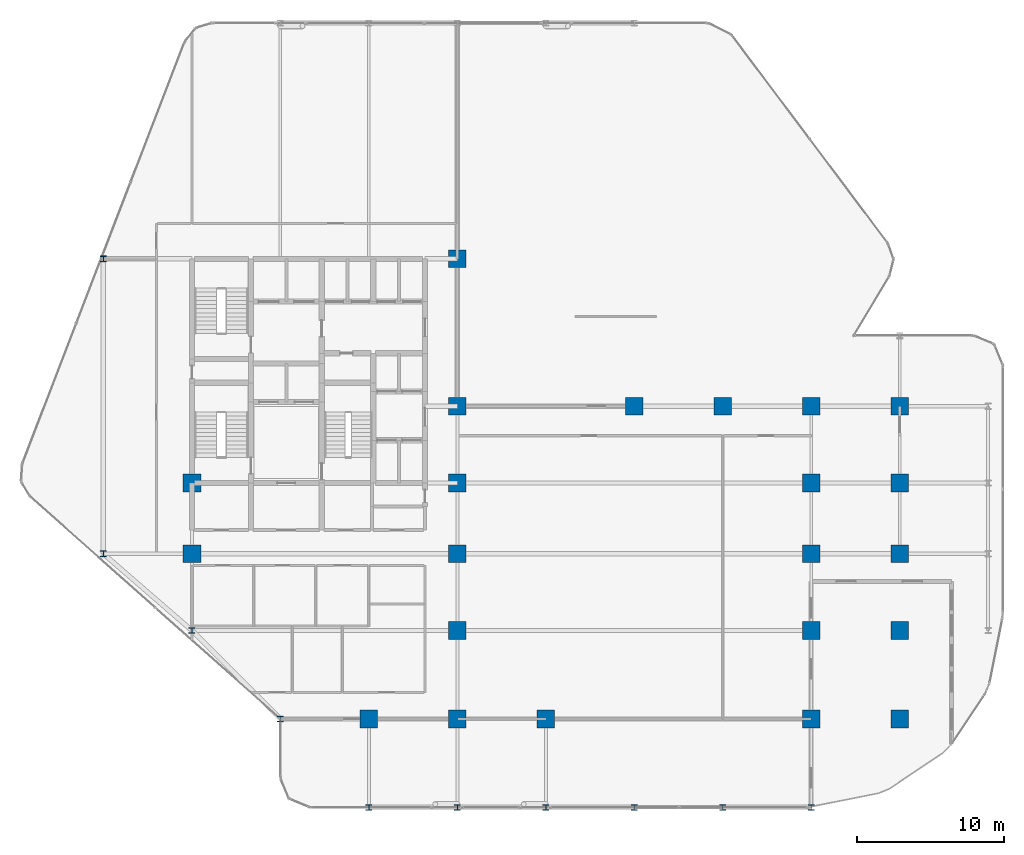
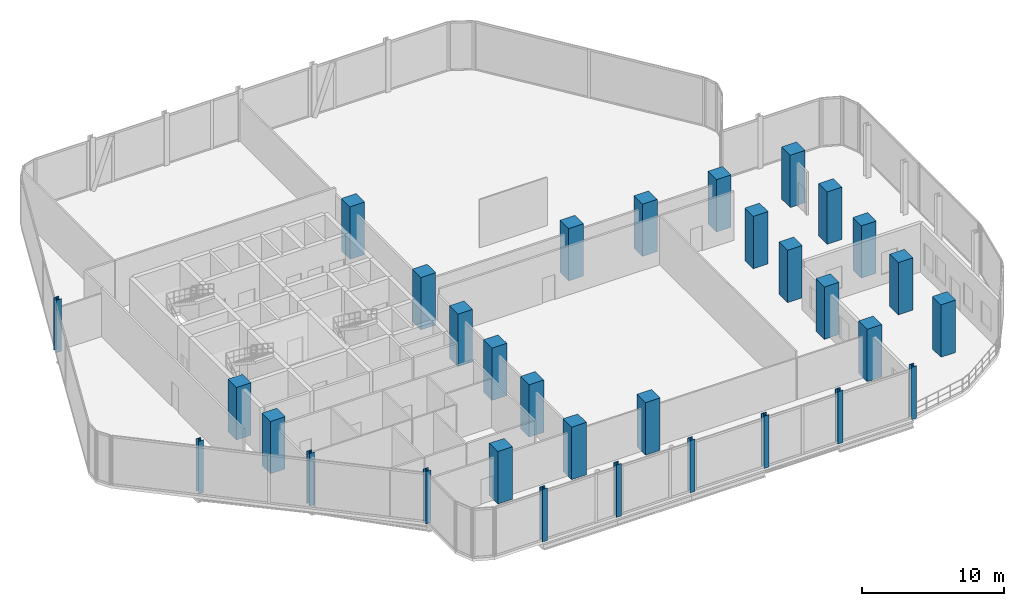
# One storey, part 1 of 30: 32 columns.
"""IFC4 building model written with IfcOpenShell, lengths in metres."""

from ifc_helpers import new_model, si_unit, direction, frame, origin, origin_2d, place, context, subcontext, project, spatial, rectangle, i_section, extrude, material, material_profile, profile_set, type_object, element, save


model = new_model("IFC4")

# Units and contexts
model_context = context("Model", 3, precision=1e-05, world=origin(), true_north=direction((0.0, 1.0)))
body_context = subcontext(model_context, "Body", "Model", "MODEL_VIEW")
ifc_project = project(units=[si_unit("LENGTHUNIT", "METRE"), si_unit("AREAUNIT", "SQUARE_METRE"), si_unit("VOLUMEUNIT", "CUBIC_METRE"), si_unit("PLANEANGLEUNIT", "RADIAN"), si_unit("MASSUNIT", "GRAM", prefix="KILO")], contexts=[model_context])

# Site, building, storey
site_placement = place(None, origin())
site = spatial("IfcSite", under=ifc_project, at=site_placement, CompositionType="ELEMENT")
building_placement = place(site_placement, origin())
building = spatial("IfcBuilding", under=site, at=building_placement, Name="Keshet Zoharim Tower", CompositionType="ELEMENT")
storey_placement = place(building_placement, frame((0.0, 0.0, 65.60009765625)))
storey = spatial("IfcBuildingStorey", under=building, at=storey_placement, Name="L15", CompositionType="ELEMENT", Elevation=65.60009765625)

# Columns
ifc_material_1 = material(Name="Steel S355", Category="steel")
ifc_material_profile_1 = material_profile(ifc_material_1, i_section(OverallWidth=0.40087890625, OverallDepth=0.39892578125, WebThickness=0.02490234375, FlangeThickness=0.03955078125, FilletRadius=0.014892578125, at=origin_2d()), Name="HD400x314")
ifc_profile_set_1 = profile_set([ifc_material_profile_1], Name="Steel S355")
column_type_1 = type_object("IfcColumnType", Name="COL-HD314", PredefinedType="COLUMN", material=ifc_profile_set_1)
for number, where, z_axis, x_axis, name in (
    (1, (9.0, 17.89990234375, 0.0), (0.0, 0.0, 1.0), (1.0, 0.0, 0.0), "L15 Column 2D"),
    (2, (9.0, 37.89990234375, 0.0), (0.0, 0.0, 1.0), (1.0, 0.0, 0.0), "L15 Column 2H"),
    (3, (15.0, 12.699951171875, 0.0), (0.0, 0.0, 1.0), (1.0, 0.0, 0.0), "L15 Column 3C"),
    (4, (21.0, 6.699951171875, 0.0), (0.0, 0.0, 1.0), (1.0, 0.0, 0.0), "L15 Column 4B"),
    (5, (27.0, 0.699951171875, 0.0), (0.0, 0.0, 1.0), (1.0, 0.0, 0.0), "L15 Column 5A"),
    (6, (33.0, 0.699951171875, 0.0), (0.0, 0.0, 1.0), (1.0, 0.0, 0.0), "L15 Column 6A"),
    (7, (39.0, 0.699951171875, 0.0), (0.0, 0.0, 1.0), (1.0, 0.0, 0.0), "L15 Column 7A"),
    (8, (45.0, 0.699951171875, 0.0), (0.0, 0.0, 1.0), (1.0, 0.0, 0.0), "L15 Column 8A"),
    (9, (51.0, 0.699951171875, 0.0), (0.0, 0.0, 1.0), (1.0, 0.0, 0.0), "L15 Column 9A"),
    (10, (57.0, 0.699951171875, 0.0), (0.0, 0.0, 1.0), (1.0, 0.0, 0.0), "L15 Column 10A"),
):
    element("IfcColumn", number, at=place(storey_placement, frame(where, z_axis=z_axis, x_axis=x_axis)), inside=storey, type_object=column_type_1, Name=name, PredefinedType="COLUMN", context=body_context, shape_type="SweptSolid", body=[
        extrude(i_section(OverallWidth=0.40087890625, OverallDepth=0.39892578125, WebThickness=0.02490234375, FlangeThickness=0.03955078125, FilletRadius=0.014892578125, at=origin_2d()), origin(), (0.0, 0.0, 1.0), 4.5),
    ])
ifc_material_2 = material(Name="Concrete C60/75", Category="concrete")
ifc_material_profile_2 = material_profile(ifc_material_2, rectangle(XDim=1.199951171875, YDim=1.199951171875, at=origin_2d()), Name="RC1200x1200")
ifc_profile_set_2 = profile_set([ifc_material_profile_2], Name="Concrete C60/75")
column_type_2 = type_object("IfcColumnType", Name="COL-RC1200", PredefinedType="COLUMN", material=ifc_profile_set_2)
for number, where, z_axis, x_axis, name in (
    (11, (15.0, 17.89990234375, 0.0), (0.0, 0.0, 1.0), (1.0, 0.0, 0.0), "L15 Column 3D"),
    (12, (15.0, 22.699951171875, 0.0), (0.0, 0.0, 1.0), (1.0, 0.0, 0.0), "L15 Column 3E"),
    (13, (27.0, 6.699951171875, 0.0), (0.0, 0.0, 1.0), (1.0, 0.0, 0.0), "L15 Column 5B"),
    (14, (33.0, 6.699951171875, 0.0), (0.0, 0.0, 1.0), (1.0, 0.0, 0.0), "L15 Column 6B"),
    (15, (33.0, 12.699951171875, 0.0), (0.0, 0.0, 1.0), (1.0, 0.0, 0.0), "L15 Column 6C"),
    (16, (33.0, 17.89990234375, 0.0), (0.0, 0.0, 1.0), (1.0, 0.0, 0.0), "L15 Column 6D"),
    (17, (33.0, 22.699951171875, 0.0), (0.0, 0.0, 1.0), (1.0, 0.0, 0.0), "L15 Column 6E"),
    (18, (33.0, 27.89990234375, 0.0), (0.0, 0.0, 1.0), (1.0, 0.0, 0.0), "L15 Column 6F"),
    (19, (33.0, 37.89990234375, 0.0), (0.0, 0.0, 1.0), (1.0, 0.0, 0.0), "L15 Column 6H"),
    (20, (39.0, 6.699951171875, 0.0), (0.0, 0.0, 1.0), (1.0, 0.0, 0.0), "L15 Column 7B"),
    (21, (45.0, 27.89990234375, 0.0), (0.0, 0.0, 1.0), (1.0, 0.0, 0.0), "L15 Column 8F"),
    (22, (51.0, 27.89990234375, 0.0), (0.0, 0.0, 1.0), (1.0, 0.0, 0.0), "L15 Column 9F"),
    (23, (57.0, 6.699951171875, 0.0), (0.0, 0.0, 1.0), (1.0, 0.0, 0.0), "L15 Column 10B"),
    (24, (57.0, 12.699951171875, 0.0), (0.0, 0.0, 1.0), (1.0, 0.0, 0.0), "L15 Column 10C"),
    (25, (57.0, 17.89990234375, 0.0), (0.0, 0.0, 1.0), (1.0, 0.0, 0.0), "L15 Column 10D"),
    (26, (57.0, 22.699951171875, 0.0), (0.0, 0.0, 1.0), (1.0, 0.0, 0.0), "L15 Column 10E"),
    (27, (57.0, 27.89990234375, 0.0), (0.0, 0.0, 1.0), (1.0, 0.0, 0.0), "L15 Column 10F"),
    (28, (63.0, 6.699951171875, 0.0), (0.0, 0.0, 1.0), (1.0, 0.0, 0.0), "L15 Column 11B"),
    (29, (63.0, 12.699951171875, 0.0), (0.0, 0.0, 1.0), (1.0, 0.0, 0.0), "L15 Column 11C"),
    (30, (63.0, 17.89990234375, 0.0), (0.0, 0.0, 1.0), (1.0, 0.0, 0.0), "L15 Column 11D"),
    (31, (63.0, 22.699951171875, 0.0), (0.0, 0.0, 1.0), (1.0, 0.0, 0.0), "L15 Column 11E"),
    (32, (63.0, 27.89990234375, 0.0), (0.0, 0.0, 1.0), (1.0, 0.0, 0.0), "L15 Column 11F"),
):
    element("IfcColumn", number, at=place(storey_placement, frame(where, z_axis=z_axis, x_axis=x_axis)), inside=storey, type_object=column_type_2, Name=name, PredefinedType="COLUMN", context=body_context, shape_type="SweptSolid", body=[
        extrude(rectangle(XDim=1.199951171875, YDim=1.199951171875, at=origin_2d()), origin(), (0.0, 0.0, 1.0), 4.5),
    ])

save(model, "model.ifc")
